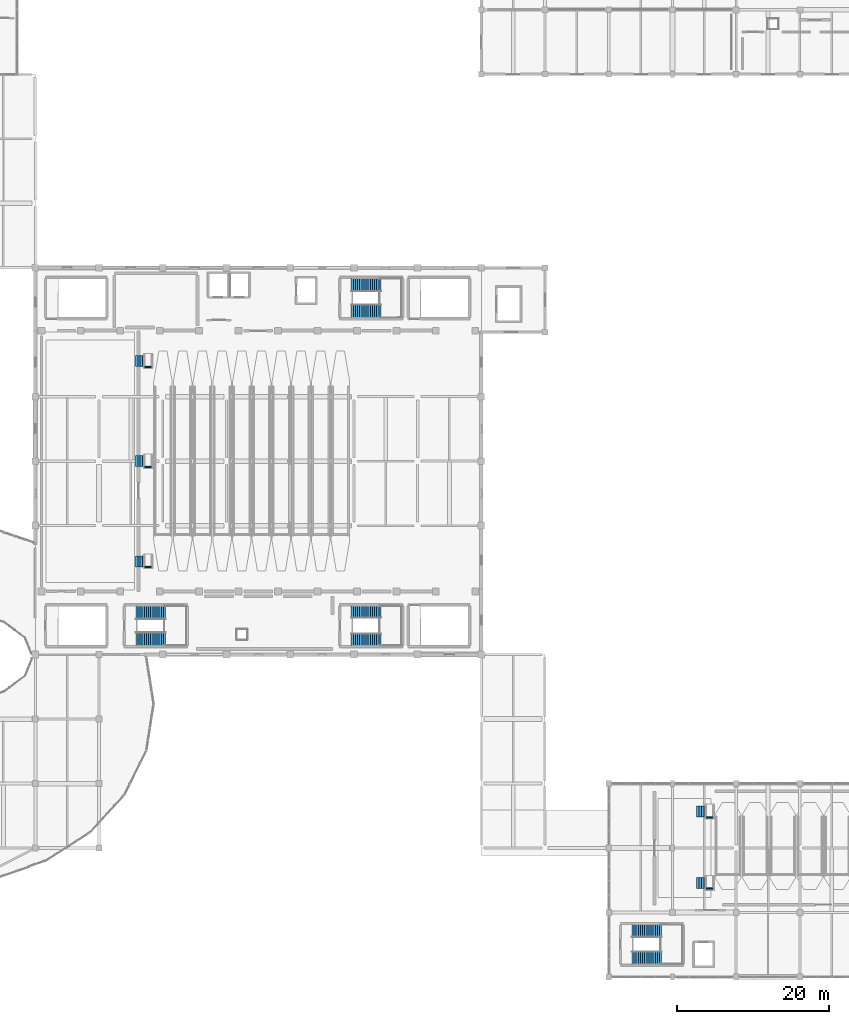
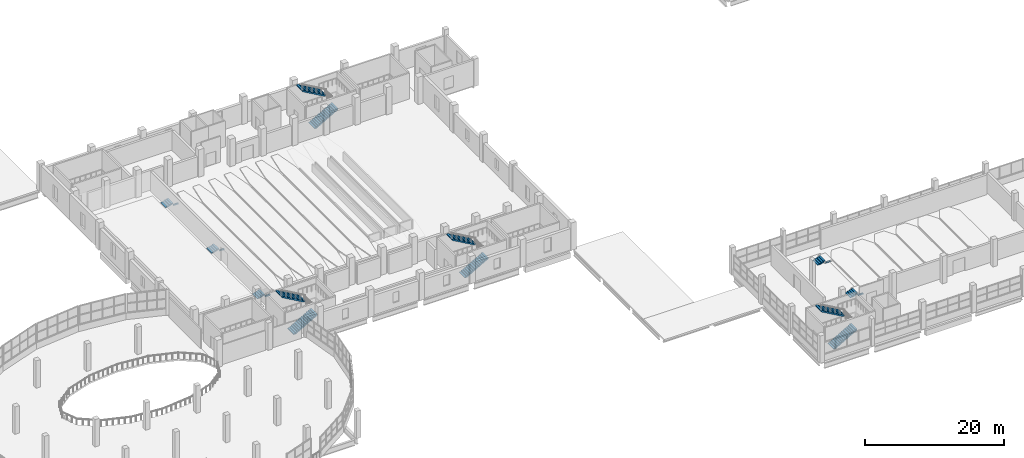
# One storey, part 108 of 117: 13 stair flights, 5 walls, 9 elements without a shape of their own.
"""IFC4 building model written with IfcOpenShell, lengths in metres."""

from ifc_helpers import new_model, si_unit, direction, frame, frame_2d, origin, place, context, subcontext, project, spatial, polyline, rectangle, outline, extrude, material, layer, layer_set, type_object, element, aggregate, save


model = new_model("IFC4")

# Units and contexts
model_context = context("Model", 3, precision=1e-05, world=origin(), true_north=direction((0.0, 1.0)))
body_context = subcontext(model_context, "Body", "Model", "MODEL_VIEW")
ifc_project = project(units=[si_unit("LENGTHUNIT", "METRE"), si_unit("AREAUNIT", "SQUARE_METRE"), si_unit("VOLUMEUNIT", "CUBIC_METRE"), si_unit("PLANEANGLEUNIT", "RADIAN"), si_unit("MASSUNIT", "GRAM", prefix="KILO")], contexts=[model_context])

# Site, building, storey
site_placement = place(None, origin())
site = spatial("IfcSite", under=ifc_project, at=site_placement, CompositionType="ELEMENT")
building_placement = place(site_placement, origin())
building = spatial("IfcBuilding", under=site, at=building_placement, Name="Solvento Point Concert Hall", CompositionType="ELEMENT")
storey_placement = place(building_placement, frame((0.0, 0.0, 5.39990234375)))
storey = spatial("IfcBuildingStorey", under=building, at=storey_placement, Name="L01", CompositionType="ELEMENT", Elevation=5.39990234375)

# Walls
ifc_material_1 = material(Name="Concrete C40/50", Category="concrete")
ifc_layer = layer(ifc_material_1, 0.300048828125)
ifc_layer_set = layer_set([ifc_layer], Name="Concrete C40/50")
wall_type = type_object("IfcWallType", Name="CoreShearWall_300", PredefinedType="SHEAR", material=ifc_layer_set)
for number, where, z_axis, x_axis, name in (
    (1, (88.860107421875, 54.044921875, 0.0), (0.0, 0.0, 1.0), (1.0, 0.0, 0.0), "Aisle landing support wall W-SH1 ST-ASL-01"),
    (2, (88.860107421875, 67.2451171875, 0.0), (0.0, 0.0, 1.0), (1.0, 0.0, 0.0), "Aisle landing support wall W-SH1 ST-ASL-02"),
    (3, (88.860107421875, 80.445068359375, 0.0), (0.0, 0.0, 1.0), (1.0, 0.0, 0.0), "Aisle landing support wall W-SH1 ST-ASL-03"),
    (4, (162.860107421875, 11.64501953125, 0.0), (0.0, 0.0, 1.0), (1.0, 0.0, 0.0), "Aisle landing support wall W-SH1 ST-ASL-04"),
    (5, (162.860107421875, 21.044921875, 0.0), (0.0, 0.0, 1.0), (1.0, 0.0, 0.0), "Aisle landing support wall W-SH1 ST-ASL-05"),
):
    element("IfcWall", number, at=place(storey_placement, frame(where, z_axis=z_axis, x_axis=x_axis)), inside=storey, type_object=wall_type, Name=name, PredefinedType="SHEAR", context=body_context, shape_type="SweptSolid", body=[
        extrude(rectangle(XDim=0.829833984375, YDim=0.199951171875, at=frame_2d((0.4150390625, 0.0))), origin(), (0.0, 0.0, 1.0), 0.22509765625),
    ])

# Stair, stair flight
ifc_material_2 = material(Name="Concrete C35/45", Category="concrete")
stair_type_1 = type_object("IfcStairType", Name="FeatureStair_1500", PredefinedType="STRAIGHT_RUN_STAIR", material=ifc_material_2)
stair_1_placement = place(storey_placement, origin())
stair_1 = element("IfcStair", 6, at=stair_1_placement, inside=storey, type_object=stair_type_1, Name="Auditorium stepped aisle stair ST-ASL-01", PredefinedType="STRAIGHT_RUN_STAIR")
ifc_material_3 = material(Name="Concrete C35/45", Category="concrete")
stair_flight_type_1 = type_object("IfcStairFlightType", Name="FeatureFlight_1500", PredefinedType="STRAIGHT", material=ifc_material_3)
stair_flight_1_placement = place(storey_placement, frame((87.60009765625, 54.800048828125, 0.0), z_axis=(0.0, 0.0, 1.0), x_axis=(1.0, 0.0, 0.0)))
stair_flight_1 = element("IfcStairFlight", 7, at=stair_flight_1_placement, type_object=stair_flight_type_1, Name="Auditorium aisle flight ST-ASL-01", NumberOfRisers=5, NumberOfTreads=4, PredefinedType="STRAIGHT", RiserHeight=0.108, TreadLength=0.315, context=body_context, shape_type="SweptSolid", body=[
    extrude(outline(polyline([(0.0, 0.0), (0.0, 0.10791015625), (0.31494140625, 0.10791015625), (0.31494140625, 0.216064453125), (0.6298828125, 0.216064453125), (0.6298828125, 0.323974609375), (0.945068359375, 0.323974609375), (0.945068359375, 0.431884765625), (1.260009765625, 0.431884765625), (1.260009765625, 0.5400390625), (1.260009765625, 0.2734375), (0.462158203125, 0.0), (0.0, 0.0)])), frame((0.0, 0.72509765625, 0.0), z_axis=(0.0, -1.0, 0.0), x_axis=(1.0, 0.0, 0.0)), (0.0, 0.0, 1.0), 1.449951171875),
])
aggregate(stair_1, [stair_flight_1])

stair_2_placement = place(storey_placement, origin())
stair_2 = element("IfcStair", 8, at=stair_2_placement, inside=storey, type_object=stair_type_1, Name="Auditorium stepped aisle stair ST-ASL-02", PredefinedType="STRAIGHT_RUN_STAIR")
stair_flight_2_placement = place(storey_placement, frame((87.60009765625, 68.0, 0.0), z_axis=(0.0, 0.0, 1.0), x_axis=(1.0, 0.0, 0.0)))
stair_flight_2 = element("IfcStairFlight", 9, at=stair_flight_2_placement, type_object=stair_flight_type_1, Name="Auditorium aisle flight ST-ASL-02", NumberOfRisers=5, NumberOfTreads=4, PredefinedType="STRAIGHT", RiserHeight=0.108, TreadLength=0.315, context=body_context, shape_type="SweptSolid", body=[
    extrude(outline(polyline([(0.0, 0.0), (0.0, 0.10791015625), (0.31494140625, 0.10791015625), (0.31494140625, 0.216064453125), (0.6298828125, 0.216064453125), (0.6298828125, 0.323974609375), (0.945068359375, 0.323974609375), (0.945068359375, 0.431884765625), (1.260009765625, 0.431884765625), (1.260009765625, 0.5400390625), (1.260009765625, 0.2734375), (0.462158203125, 0.0), (0.0, 0.0)])), frame((0.0, 0.72509765625, 0.0), z_axis=(0.0, -1.0, 0.0), x_axis=(1.0, 0.0, 0.0)), (0.0, 0.0, 1.0), 1.449951171875),
])
aggregate(stair_2, [stair_flight_2])

stair_3_placement = place(storey_placement, origin())
stair_3 = element("IfcStair", 10, at=stair_3_placement, inside=storey, type_object=stair_type_1, Name="Auditorium stepped aisle stair ST-ASL-03", PredefinedType="STRAIGHT_RUN_STAIR")
stair_flight_3_placement = place(storey_placement, frame((87.60009765625, 81.199951171875, 0.0), z_axis=(0.0, 0.0, 1.0), x_axis=(1.0, 0.0, 0.0)))
stair_flight_3 = element("IfcStairFlight", 11, at=stair_flight_3_placement, type_object=stair_flight_type_1, Name="Auditorium aisle flight ST-ASL-03", NumberOfRisers=5, NumberOfTreads=4, PredefinedType="STRAIGHT", RiserHeight=0.108, TreadLength=0.315, context=body_context, shape_type="SweptSolid", body=[
    extrude(outline(polyline([(0.0, 0.0), (0.0, 0.10791015625), (0.31494140625, 0.10791015625), (0.31494140625, 0.216064453125), (0.6298828125, 0.216064453125), (0.6298828125, 0.323974609375), (0.945068359375, 0.323974609375), (0.945068359375, 0.431884765625), (1.260009765625, 0.431884765625), (1.260009765625, 0.5400390625), (1.260009765625, 0.2734375), (0.462158203125, 0.0), (0.0, 0.0)])), frame((0.0, 0.72509765625, 0.0), z_axis=(0.0, -1.0, 0.0), x_axis=(1.0, 0.0, 0.0)), (0.0, 0.0, 1.0), 1.449951171875),
])
aggregate(stair_3, [stair_flight_3])

stair_4_placement = place(storey_placement, origin())
stair_4 = element("IfcStair", 12, at=stair_4_placement, inside=storey, type_object=stair_type_1, Name="Auditorium stepped aisle stair ST-ASL-04", PredefinedType="STRAIGHT_RUN_STAIR")
stair_flight_4_placement = place(storey_placement, frame((161.60009765625, 12.39990234375, 0.0), z_axis=(0.0, 0.0, 1.0), x_axis=(1.0, 0.0, 0.0)))
stair_flight_4 = element("IfcStairFlight", 13, at=stair_flight_4_placement, type_object=stair_flight_type_1, Name="Auditorium aisle flight ST-ASL-04", NumberOfRisers=5, NumberOfTreads=4, PredefinedType="STRAIGHT", RiserHeight=0.108, TreadLength=0.315, context=body_context, shape_type="SweptSolid", body=[
    extrude(outline(polyline([(0.0, 0.0), (0.0, 0.10791015625), (0.31494140625, 0.10791015625), (0.31494140625, 0.216064453125), (0.6298828125, 0.216064453125), (0.6298828125, 0.323974609375), (0.945068359375, 0.323974609375), (0.945068359375, 0.431884765625), (1.260009765625, 0.431884765625), (1.260009765625, 0.5400390625), (1.260009765625, 0.2734375), (0.462158203125, 0.0), (0.0, 0.0)])), frame((0.0, 0.72509765625, 0.0), z_axis=(0.0, -1.0, 0.0), x_axis=(1.0, 0.0, 0.0)), (0.0, 0.0, 1.0), 1.449951171875),
])
aggregate(stair_4, [stair_flight_4])

stair_5_placement = place(storey_placement, origin())
stair_5 = element("IfcStair", 14, at=stair_5_placement, inside=storey, type_object=stair_type_1, Name="Auditorium stepped aisle stair ST-ASL-05", PredefinedType="STRAIGHT_RUN_STAIR")
stair_flight_5_placement = place(storey_placement, frame((161.60009765625, 21.800048828125, 0.0), z_axis=(0.0, 0.0, 1.0), x_axis=(1.0, 0.0, 0.0)))
stair_flight_5 = element("IfcStairFlight", 15, at=stair_flight_5_placement, type_object=stair_flight_type_1, Name="Auditorium aisle flight ST-ASL-05", NumberOfRisers=5, NumberOfTreads=4, PredefinedType="STRAIGHT", RiserHeight=0.108, TreadLength=0.315, context=body_context, shape_type="SweptSolid", body=[
    extrude(outline(polyline([(0.0, 0.0), (0.0, 0.10791015625), (0.31494140625, 0.10791015625), (0.31494140625, 0.216064453125), (0.6298828125, 0.216064453125), (0.6298828125, 0.323974609375), (0.945068359375, 0.323974609375), (0.945068359375, 0.431884765625), (1.260009765625, 0.431884765625), (1.260009765625, 0.5400390625), (1.260009765625, 0.2734375), (0.462158203125, 0.0), (0.0, 0.0)])), frame((0.0, 0.72509765625, 0.0), z_axis=(0.0, -1.0, 0.0), x_axis=(1.0, 0.0, 0.0)), (0.0, 0.0, 1.0), 1.449951171875),
])
aggregate(stair_5, [stair_flight_5])

# Stair, stair flights
ifc_material_4 = material(Name="Concrete C35/45", Category="concrete")
stair_type_2 = type_object("IfcStairType", Name="CoreStair_1600", PredefinedType="HALF_TURN_STAIR", material=ifc_material_4)
stair_6_placement = place(storey_placement, origin())
stair_6 = element("IfcStair", 16, at=stair_6_placement, inside=storey, type_object=stair_type_2, Name="Protected exit stair ST-07 (L01 to L02)", PredefinedType="HALF_TURN_STAIR")
ifc_material_5 = material(Name="Concrete C35/45", Category="concrete")
stair_flight_type_2 = type_object("IfcStairFlightType", Name="StairFlight_1600", PredefinedType="STRAIGHT", material=ifc_material_5)
stair_flight_6_placement = place(storey_placement, frame((116.050048828125, 44.5, 0.0), z_axis=(0.0, 0.0, 1.0), x_axis=(1.0, 0.0, 0.0)))
stair_flight_6 = element("IfcStairFlight", 17, at=stair_flight_6_placement, type_object=stair_flight_type_2, Name="Stair flight ST-07 L01 lower", NumberOfRisers=15, NumberOfTreads=14, PredefinedType="STRAIGHT", RiserHeight=0.16, TreadLength=0.28, context=body_context, shape_type="SweptSolid", body=[
    extrude(outline(polyline([(0.0, 0.0), (0.0, 0.159912109375), (0.280029296875, 0.159912109375), (0.280029296875, 0.320068359375), (0.56005859375, 0.320068359375), (0.56005859375, 0.47998046875), (0.840087890625, 0.47998046875), (0.840087890625, 0.639892578125), (1.1201171875, 0.639892578125), (1.1201171875, 0.800048828125), (1.39990234375, 0.800048828125), (1.39990234375, 0.9599609375), (1.679931640625, 0.9599609375), (1.679931640625, 1.1201171875), (1.9599609375, 1.1201171875), (1.9599609375, 1.280029296875), (2.239990234375, 1.280029296875), (2.239990234375, 1.43994140625), (2.52001953125, 1.43994140625), (2.52001953125, 1.60009765625), (2.800048828125, 1.60009765625), (2.800048828125, 1.760009765625), (3.080078125, 1.760009765625), (3.080078125, 1.919921875), (3.360107421875, 1.919921875), (3.360107421875, 2.080078125), (3.639892578125, 2.080078125), (3.639892578125, 2.239990234375), (3.919921875, 2.239990234375), (3.919921875, 2.39990234375), (3.919921875, 2.03271484375), (0.362548828125, 0.0), (0.0, 0.0)])), frame((0.0, 0.800048828125, 0.0), z_axis=(0.0, -1.0, 0.0), x_axis=(1.0, 0.0, 0.0)), (0.0, 0.0, 1.0), 1.60009765625),
])
stair_flight_7_placement = place(storey_placement, frame((119.969970703125, 48.10009765625, 2.400146484375), z_axis=(0.0, 0.0, 1.0), x_axis=(-1.0, 0.0, 0.0)))
stair_flight_7 = element("IfcStairFlight", 18, at=stair_flight_7_placement, type_object=stair_flight_type_2, Name="Stair flight ST-07 L01 upper", NumberOfRisers=15, NumberOfTreads=14, PredefinedType="STRAIGHT", RiserHeight=0.16, TreadLength=0.28, context=body_context, shape_type="SweptSolid", body=[
    extrude(outline(polyline([(0.0, 0.0), (0.0, 0.159912109375), (0.280029296875, 0.159912109375), (0.280029296875, 0.320068359375), (0.56005859375, 0.320068359375), (0.56005859375, 0.47998046875), (0.840087890625, 0.47998046875), (0.840087890625, 0.639892578125), (1.1201171875, 0.639892578125), (1.1201171875, 0.800048828125), (1.39990234375, 0.800048828125), (1.39990234375, 0.9599609375), (1.679931640625, 0.9599609375), (1.679931640625, 1.1201171875), (1.9599609375, 1.1201171875), (1.9599609375, 1.280029296875), (2.239990234375, 1.280029296875), (2.239990234375, 1.43994140625), (2.52001953125, 1.43994140625), (2.52001953125, 1.60009765625), (2.800048828125, 1.60009765625), (2.800048828125, 1.760009765625), (3.080078125, 1.760009765625), (3.080078125, 1.919921875), (3.360107421875, 1.919921875), (3.360107421875, 2.080078125), (3.639892578125, 2.080078125), (3.639892578125, 2.239990234375), (3.919921875, 2.239990234375), (3.919921875, 2.39990234375), (3.919921875, 2.03271484375), (0.362548828125, 0.0), (0.0, 0.0)])), frame((0.0, 0.800048828125, 0.0), z_axis=(0.0, -1.0, 0.0), x_axis=(1.0, 0.0, 0.0)), (0.0, 0.0, 1.0), 1.60009765625),
])
aggregate(stair_6, [stair_flight_6, stair_flight_7])

ifc_material_6 = material(Name="Concrete C35/45", Category="concrete")
stair_type_3 = type_object("IfcStairType", Name="CoreStair_1680", PredefinedType="HALF_TURN_STAIR", material=ifc_material_6)
stair_7_placement = place(storey_placement, origin())
stair_7 = element("IfcStair", 19, at=stair_7_placement, inside=storey, type_object=stair_type_3, Name="Protected exit stair ST-08 (L01 to L02)", PredefinedType="HALF_TURN_STAIR")
ifc_material_7 = material(Name="Concrete C35/45", Category="concrete")
stair_flight_type_3 = type_object("IfcStairFlightType", Name="StairFlight_1680", PredefinedType="STRAIGHT", material=ifc_material_7)
stair_flight_8_placement = place(storey_placement, frame((153.050048828125, 2.5400390625, 0.0), z_axis=(0.0, 0.0, 1.0), x_axis=(1.0, 0.0, 0.0)))
stair_flight_8 = element("IfcStairFlight", 20, at=stair_flight_8_placement, type_object=stair_flight_type_3, Name="Stair flight ST-08 L01 lower", NumberOfRisers=15, NumberOfTreads=14, PredefinedType="STRAIGHT", RiserHeight=0.16, TreadLength=0.28, context=body_context, shape_type="SweptSolid", body=[
    extrude(outline(polyline([(0.0, 0.0), (0.0, 0.159912109375), (0.280029296875, 0.159912109375), (0.280029296875, 0.320068359375), (0.56005859375, 0.320068359375), (0.56005859375, 0.47998046875), (0.840087890625, 0.47998046875), (0.840087890625, 0.639892578125), (1.1201171875, 0.639892578125), (1.1201171875, 0.800048828125), (1.39990234375, 0.800048828125), (1.39990234375, 0.9599609375), (1.679931640625, 0.9599609375), (1.679931640625, 1.1201171875), (1.9599609375, 1.1201171875), (1.9599609375, 1.280029296875), (2.239990234375, 1.280029296875), (2.239990234375, 1.43994140625), (2.52001953125, 1.43994140625), (2.52001953125, 1.60009765625), (2.800048828125, 1.60009765625), (2.800048828125, 1.760009765625), (3.080078125, 1.760009765625), (3.080078125, 1.919921875), (3.360107421875, 1.919921875), (3.360107421875, 2.080078125), (3.639892578125, 2.080078125), (3.639892578125, 2.239990234375), (3.919921875, 2.239990234375), (3.919921875, 2.39990234375), (3.919921875, 2.03271484375), (0.362548828125, 0.0), (0.0, 0.0)])), frame((0.0, 0.83984375, 0.0), z_axis=(0.0, -1.0, 0.0), x_axis=(1.0, 0.0, 0.0)), (0.0, 0.0, 1.0), 1.679931640625),
])
stair_flight_9_placement = place(storey_placement, frame((156.969970703125, 6.06005859375, 2.400146484375), z_axis=(0.0, 0.0, 1.0), x_axis=(-1.0, 0.0, 0.0)))
stair_flight_9 = element("IfcStairFlight", 21, at=stair_flight_9_placement, type_object=stair_flight_type_3, Name="Stair flight ST-08 L01 upper", NumberOfRisers=15, NumberOfTreads=14, PredefinedType="STRAIGHT", RiserHeight=0.16, TreadLength=0.28, context=body_context, shape_type="SweptSolid", body=[
    extrude(outline(polyline([(0.0, 0.0), (0.0, 0.159912109375), (0.280029296875, 0.159912109375), (0.280029296875, 0.320068359375), (0.56005859375, 0.320068359375), (0.56005859375, 0.47998046875), (0.840087890625, 0.47998046875), (0.840087890625, 0.639892578125), (1.1201171875, 0.639892578125), (1.1201171875, 0.800048828125), (1.39990234375, 0.800048828125), (1.39990234375, 0.9599609375), (1.679931640625, 0.9599609375), (1.679931640625, 1.1201171875), (1.9599609375, 1.1201171875), (1.9599609375, 1.280029296875), (2.239990234375, 1.280029296875), (2.239990234375, 1.43994140625), (2.52001953125, 1.43994140625), (2.52001953125, 1.60009765625), (2.800048828125, 1.60009765625), (2.800048828125, 1.760009765625), (3.080078125, 1.760009765625), (3.080078125, 1.919921875), (3.360107421875, 1.919921875), (3.360107421875, 2.080078125), (3.639892578125, 2.080078125), (3.639892578125, 2.239990234375), (3.919921875, 2.239990234375), (3.919921875, 2.39990234375), (3.919921875, 2.03271484375), (0.362548828125, 0.0), (0.0, 0.0)])), frame((0.0, 0.83984375, 0.0), z_axis=(0.0, -1.0, 0.0), x_axis=(1.0, 0.0, 0.0)), (0.0, 0.0, 1.0), 1.679931640625),
])
aggregate(stair_7, [stair_flight_8, stair_flight_9])

ifc_material_8 = material(Name="Concrete C35/45", Category="concrete")
stair_type_4 = type_object("IfcStairType", Name="CoreStair_1760", PredefinedType="HALF_TURN_STAIR", material=ifc_material_8)
stair_8_placement = place(storey_placement, origin())
stair_8 = element("IfcStair", 22, at=stair_8_placement, inside=storey, type_object=stair_type_4, Name="Protected exit stair ST-03 (L01 to L02)", PredefinedType="HALF_TURN_STAIR")
ifc_material_9 = material(Name="Concrete C35/45", Category="concrete")
stair_flight_type_4 = type_object("IfcStairFlightType", Name="StairFlight_1760", PredefinedType="STRAIGHT", material=ifc_material_9)
stair_flight_10_placement = place(storey_placement, frame((116.050048828125, 87.780029296875, 0.0), z_axis=(0.0, 0.0, 1.0), x_axis=(1.0, 0.0, 0.0)))
stair_flight_10 = element("IfcStairFlight", 23, at=stair_flight_10_placement, type_object=stair_flight_type_4, Name="Stair flight ST-03 L01 lower", NumberOfRisers=15, NumberOfTreads=14, PredefinedType="STRAIGHT", RiserHeight=0.16, TreadLength=0.28, context=body_context, shape_type="SweptSolid", body=[
    extrude(outline(polyline([(0.0, 0.0), (0.0, 0.159912109375), (0.280029296875, 0.159912109375), (0.280029296875, 0.320068359375), (0.56005859375, 0.320068359375), (0.56005859375, 0.47998046875), (0.840087890625, 0.47998046875), (0.840087890625, 0.639892578125), (1.1201171875, 0.639892578125), (1.1201171875, 0.800048828125), (1.39990234375, 0.800048828125), (1.39990234375, 0.9599609375), (1.679931640625, 0.9599609375), (1.679931640625, 1.1201171875), (1.9599609375, 1.1201171875), (1.9599609375, 1.280029296875), (2.239990234375, 1.280029296875), (2.239990234375, 1.43994140625), (2.52001953125, 1.43994140625), (2.52001953125, 1.60009765625), (2.800048828125, 1.60009765625), (2.800048828125, 1.760009765625), (3.080078125, 1.760009765625), (3.080078125, 1.919921875), (3.360107421875, 1.919921875), (3.360107421875, 2.080078125), (3.639892578125, 2.080078125), (3.639892578125, 2.239990234375), (3.919921875, 2.239990234375), (3.919921875, 2.39990234375), (3.919921875, 2.03271484375), (0.362548828125, 0.0), (0.0, 0.0)])), frame((0.0, 0.8798828125, 0.0), z_axis=(0.0, -1.0, 0.0), x_axis=(1.0, 0.0, 0.0)), (0.0, 0.0, 1.0), 1.760009765625),
])
stair_flight_11_placement = place(storey_placement, frame((119.969970703125, 91.219970703125, 2.400146484375), z_axis=(0.0, 0.0, 1.0), x_axis=(-1.0, 0.0, 0.0)))
stair_flight_11 = element("IfcStairFlight", 24, at=stair_flight_11_placement, type_object=stair_flight_type_4, Name="Stair flight ST-03 L01 upper", NumberOfRisers=15, NumberOfTreads=14, PredefinedType="STRAIGHT", RiserHeight=0.16, TreadLength=0.28, context=body_context, shape_type="SweptSolid", body=[
    extrude(outline(polyline([(0.0, 0.0), (0.0, 0.159912109375), (0.280029296875, 0.159912109375), (0.280029296875, 0.320068359375), (0.56005859375, 0.320068359375), (0.56005859375, 0.47998046875), (0.840087890625, 0.47998046875), (0.840087890625, 0.639892578125), (1.1201171875, 0.639892578125), (1.1201171875, 0.800048828125), (1.39990234375, 0.800048828125), (1.39990234375, 0.9599609375), (1.679931640625, 0.9599609375), (1.679931640625, 1.1201171875), (1.9599609375, 1.1201171875), (1.9599609375, 1.280029296875), (2.239990234375, 1.280029296875), (2.239990234375, 1.43994140625), (2.52001953125, 1.43994140625), (2.52001953125, 1.60009765625), (2.800048828125, 1.60009765625), (2.800048828125, 1.760009765625), (3.080078125, 1.760009765625), (3.080078125, 1.919921875), (3.360107421875, 1.919921875), (3.360107421875, 2.080078125), (3.639892578125, 2.080078125), (3.639892578125, 2.239990234375), (3.919921875, 2.239990234375), (3.919921875, 2.39990234375), (3.919921875, 2.03271484375), (0.362548828125, 0.0), (0.0, 0.0)])), frame((0.0, 0.8798828125, 0.0), z_axis=(0.0, -1.0, 0.0), x_axis=(1.0, 0.0, 0.0)), (0.0, 0.0, 1.0), 1.760009765625),
])
aggregate(stair_8, [stair_flight_10, stair_flight_11])

stair_9_placement = place(storey_placement, origin())
stair_9 = element("IfcStair", 25, at=stair_9_placement, inside=storey, type_object=stair_type_4, Name="Protected exit stair ST-06 (L01 to L02)", PredefinedType="HALF_TURN_STAIR")
stair_flight_12_placement = place(storey_placement, frame((87.64990234375, 44.580078125, 0.0), z_axis=(0.0, 0.0, 1.0), x_axis=(1.0, 0.0, 0.0)))
stair_flight_12 = element("IfcStairFlight", 26, at=stair_flight_12_placement, type_object=stair_flight_type_4, Name="Stair flight ST-06 L01 lower", NumberOfRisers=15, NumberOfTreads=14, PredefinedType="STRAIGHT", RiserHeight=0.16, TreadLength=0.28, context=body_context, shape_type="SweptSolid", body=[
    extrude(outline(polyline([(0.0, 0.0), (0.0, 0.159912109375), (0.280029296875, 0.159912109375), (0.280029296875, 0.320068359375), (0.56005859375, 0.320068359375), (0.56005859375, 0.47998046875), (0.840087890625, 0.47998046875), (0.840087890625, 0.639892578125), (1.1201171875, 0.639892578125), (1.1201171875, 0.800048828125), (1.39990234375, 0.800048828125), (1.39990234375, 0.9599609375), (1.679931640625, 0.9599609375), (1.679931640625, 1.1201171875), (1.9599609375, 1.1201171875), (1.9599609375, 1.280029296875), (2.239990234375, 1.280029296875), (2.239990234375, 1.43994140625), (2.52001953125, 1.43994140625), (2.52001953125, 1.60009765625), (2.800048828125, 1.60009765625), (2.800048828125, 1.760009765625), (3.080078125, 1.760009765625), (3.080078125, 1.919921875), (3.360107421875, 1.919921875), (3.360107421875, 2.080078125), (3.639892578125, 2.080078125), (3.639892578125, 2.239990234375), (3.919921875, 2.239990234375), (3.919921875, 2.39990234375), (3.919921875, 2.03271484375), (0.362548828125, 0.0), (0.0, 0.0)])), frame((0.0, 0.8798828125, 0.0), z_axis=(0.0, -1.0, 0.0), x_axis=(1.0, 0.0, 0.0)), (0.0, 0.0, 1.0), 1.760009765625),
])
stair_flight_13_placement = place(storey_placement, frame((91.570068359375, 48.02001953125, 2.400146484375), z_axis=(0.0, 0.0, 1.0), x_axis=(-1.0, 0.0, 0.0)))
stair_flight_13 = element("IfcStairFlight", 27, at=stair_flight_13_placement, type_object=stair_flight_type_4, Name="Stair flight ST-06 L01 upper", NumberOfRisers=15, NumberOfTreads=14, PredefinedType="STRAIGHT", RiserHeight=0.16, TreadLength=0.28, context=body_context, shape_type="SweptSolid", body=[
    extrude(outline(polyline([(0.0, 0.0), (0.0, 0.159912109375), (0.280029296875, 0.159912109375), (0.280029296875, 0.320068359375), (0.56005859375, 0.320068359375), (0.56005859375, 0.47998046875), (0.840087890625, 0.47998046875), (0.840087890625, 0.639892578125), (1.1201171875, 0.639892578125), (1.1201171875, 0.800048828125), (1.39990234375, 0.800048828125), (1.39990234375, 0.9599609375), (1.679931640625, 0.9599609375), (1.679931640625, 1.1201171875), (1.9599609375, 1.1201171875), (1.9599609375, 1.280029296875), (2.239990234375, 1.280029296875), (2.239990234375, 1.43994140625), (2.52001953125, 1.43994140625), (2.52001953125, 1.60009765625), (2.800048828125, 1.60009765625), (2.800048828125, 1.760009765625), (3.080078125, 1.760009765625), (3.080078125, 1.919921875), (3.360107421875, 1.919921875), (3.360107421875, 2.080078125), (3.639892578125, 2.080078125), (3.639892578125, 2.239990234375), (3.919921875, 2.239990234375), (3.919921875, 2.39990234375), (3.919921875, 2.03271484375), (0.362548828125, 0.0), (0.0, 0.0)])), frame((0.0, 0.8798828125, 0.0), z_axis=(0.0, -1.0, 0.0), x_axis=(1.0, 0.0, 0.0)), (0.0, 0.0, 1.0), 1.760009765625),
])
aggregate(stair_9, [stair_flight_12, stair_flight_13])

save(model, "model.ifc")
